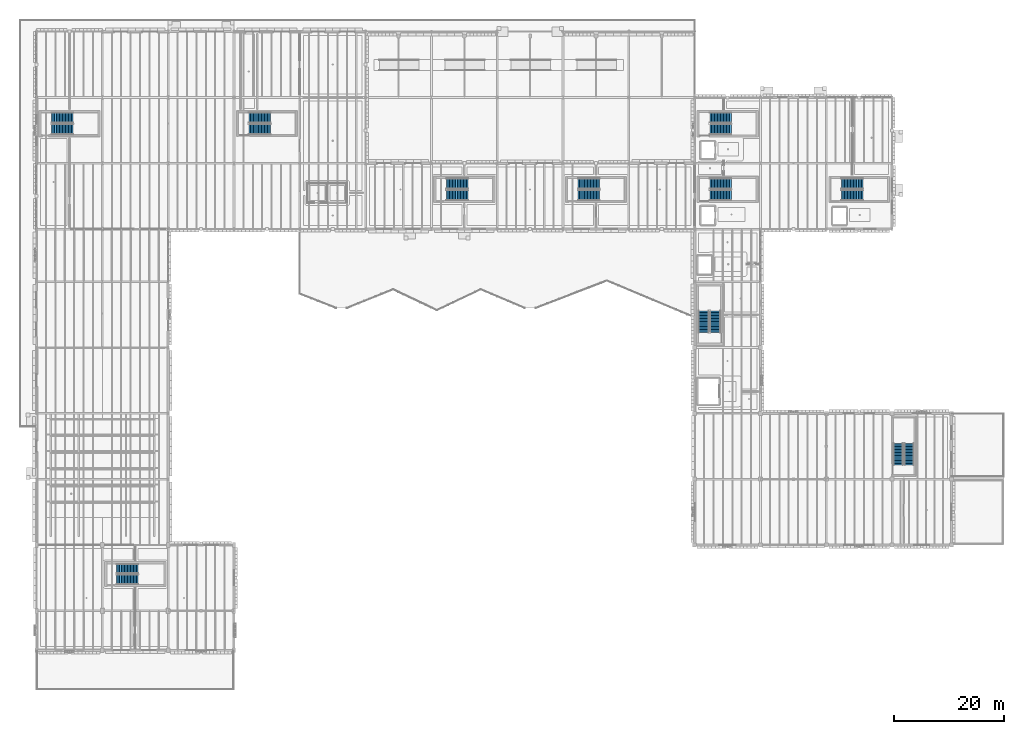
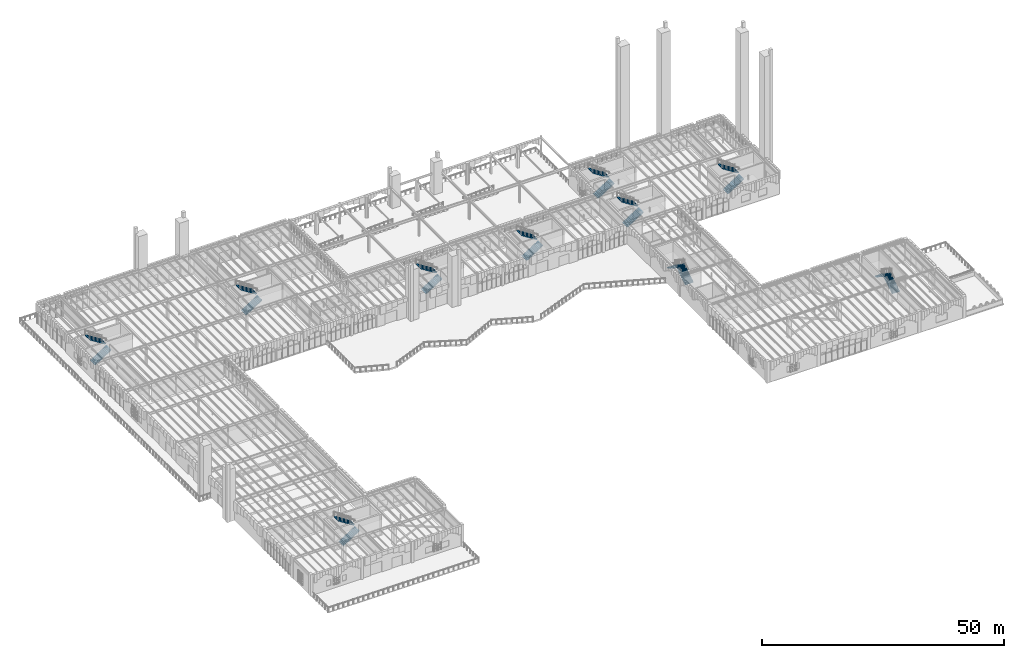
# One storey, part 58 of 103: 20 stair flights, 10 elements without a shape of their own.
"""IFC4 building model written with IfcOpenShell, lengths in metres."""

from ifc_helpers import new_model, si_unit, direction, frame, origin, place, context, subcontext, project, spatial, polyline, outline, extrude, material, type_object, element, aggregate, save


model = new_model("IFC4")

# Units and contexts
model_context = context("Model", 3, precision=1e-05, world=origin(), true_north=direction((0.0, 1.0)))
body_context = subcontext(model_context, "Body", "Model", "MODEL_VIEW")
ifc_project = project(units=[si_unit("LENGTHUNIT", "METRE"), si_unit("AREAUNIT", "SQUARE_METRE"), si_unit("VOLUMEUNIT", "CUBIC_METRE"), si_unit("PLANEANGLEUNIT", "RADIAN"), si_unit("MASSUNIT", "GRAM", prefix="KILO")], contexts=[model_context])

# Site, building, storey
site_placement = place(None, origin())
site = spatial("IfcSite", under=ifc_project, at=site_placement, CompositionType="ELEMENT")
building_placement = place(site_placement, origin())
building = spatial("IfcBuilding", under=site, at=building_placement, Name="Zlatogorsky Bluff Art Gallery", CompositionType="ELEMENT")
storey_placement = place(building_placement, origin())
storey = spatial("IfcBuildingStorey", under=building, at=storey_placement, Name="L00", CompositionType="ELEMENT", Elevation=0.0)

# Stair, stair flights
ifc_material = material(Name="Concrete C30/37", Category="concrete")
stair_type_1 = type_object("IfcStairType", Name="Protected Dogleg Stair ST-T1", PredefinedType="HALF_TURN_STAIR", material=ifc_material)
stair_1_placement = place(storey_placement, origin())
stair_1 = element("IfcStair", 1, at=stair_1_placement, inside=storey, type_object=stair_type_1, Name="L00 Protected Exit Stair ST-09", PredefinedType="HALF_TURN_STAIR")
stair_flight_type_1 = type_object("IfcStairFlightType", Name="Stair Flight ST-T1", PredefinedType="STRAIGHT", material=ifc_material)
stair_flight_1_placement = place(storey_placement, frame((14.60009765625, 20.10009765625, 0.0), z_axis=(0.0, 0.0, 1.0), x_axis=(1.0, 0.0, 0.0)))
stair_flight_1 = element("IfcStairFlight", 2, at=stair_flight_1_placement, type_object=stair_flight_type_1, Name="ST-09 flight 1", NumberOfRisers=15, NumberOfTreads=14, PredefinedType="STRAIGHT", RiserHeight=0.18, TreadLength=0.28, context=body_context, shape_type="SweptSolid", body=[
    extrude(outline(polyline([(0.0, 0.0), (0.0, 0.179931640625), (0.280029296875, 0.179931640625), (0.280029296875, 0.360107421875), (0.56005859375, 0.360107421875), (0.56005859375, 0.5400390625), (0.840087890625, 0.5400390625), (0.840087890625, 0.719970703125), (1.1201171875, 0.719970703125), (1.1201171875, 0.89990234375), (1.39990234375, 0.89990234375), (1.39990234375, 1.080078125), (1.679931640625, 1.080078125), (1.679931640625, 1.260009765625), (1.9599609375, 1.260009765625), (1.9599609375, 1.43994140625), (2.239990234375, 1.43994140625), (2.239990234375, 1.6201171875), (2.52001953125, 1.6201171875), (2.52001953125, 1.800048828125), (2.800048828125, 1.800048828125), (2.800048828125, 1.97998046875), (3.080078125, 1.97998046875), (3.080078125, 2.159912109375), (3.360107421875, 2.159912109375), (3.360107421875, 2.340087890625), (3.639892578125, 2.340087890625), (3.639892578125, 2.52001953125), (3.919921875, 2.52001953125), (3.919921875, 2.699951171875), (3.919921875, 2.30615234375), (0.332763671875, 0.0), (0.0, 0.0)])), frame((0.0, 0.89990234375, 0.0), z_axis=(0.0, -1.0, 0.0), x_axis=(1.0, 0.0, 0.0)), (0.0, 0.0, 1.0), 1.800048828125),
])
stair_flight_2_placement = place(storey_placement, frame((18.52001953125, 22.050048828125, 2.699951171875), z_axis=(0.0, 0.0, 1.0), x_axis=(-1.0, 0.0, 0.0)))
stair_flight_2 = element("IfcStairFlight", 3, at=stair_flight_2_placement, type_object=stair_flight_type_1, Name="ST-09 flight 2", NumberOfRisers=15, NumberOfTreads=14, PredefinedType="STRAIGHT", RiserHeight=0.18, TreadLength=0.28, context=body_context, shape_type="SweptSolid", body=[
    extrude(outline(polyline([(0.0, 0.0), (0.0, 0.179931640625), (0.280029296875, 0.179931640625), (0.280029296875, 0.360107421875), (0.56005859375, 0.360107421875), (0.56005859375, 0.5400390625), (0.840087890625, 0.5400390625), (0.840087890625, 0.719970703125), (1.1201171875, 0.719970703125), (1.1201171875, 0.89990234375), (1.39990234375, 0.89990234375), (1.39990234375, 1.080078125), (1.679931640625, 1.080078125), (1.679931640625, 1.260009765625), (1.9599609375, 1.260009765625), (1.9599609375, 1.43994140625), (2.239990234375, 1.43994140625), (2.239990234375, 1.6201171875), (2.52001953125, 1.6201171875), (2.52001953125, 1.800048828125), (2.800048828125, 1.800048828125), (2.800048828125, 1.97998046875), (3.080078125, 1.97998046875), (3.080078125, 2.159912109375), (3.360107421875, 2.159912109375), (3.360107421875, 2.340087890625), (3.639892578125, 2.340087890625), (3.639892578125, 2.52001953125), (3.919921875, 2.52001953125), (3.919921875, 2.699951171875), (3.919921875, 2.30615234375), (0.332763671875, 0.0), (0.0, 0.0)])), frame((0.0, 0.89990234375, 0.0), z_axis=(0.0, -1.0, 0.0), x_axis=(1.0, 0.0, 0.0)), (0.0, 0.0, 1.0), 1.800048828125),
])
aggregate(stair_1, [stair_flight_1, stair_flight_2])

stair_2_placement = place(storey_placement, origin())
stair_2 = element("IfcStair", 4, at=stair_2_placement, inside=storey, type_object=stair_type_1, Name="L00 Protected Exit Stair ST-10", PredefinedType="HALF_TURN_STAIR")
stair_flight_3_placement = place(storey_placement, frame((159.10009765625, 41.0, 0.0), z_axis=(0.0, 0.0, 1.0), x_axis=(0.0, 1.0, 0.0)))
stair_flight_3 = element("IfcStairFlight", 5, at=stair_flight_3_placement, type_object=stair_flight_type_1, Name="ST-10 flight 1", NumberOfRisers=15, NumberOfTreads=14, PredefinedType="STRAIGHT", RiserHeight=0.18, TreadLength=0.28, context=body_context, shape_type="SweptSolid", body=[
    extrude(outline(polyline([(0.0, 0.0), (0.0, 0.179931640625), (0.280029296875, 0.179931640625), (0.280029296875, 0.360107421875), (0.56005859375, 0.360107421875), (0.56005859375, 0.5400390625), (0.840087890625, 0.5400390625), (0.840087890625, 0.719970703125), (1.1201171875, 0.719970703125), (1.1201171875, 0.89990234375), (1.39990234375, 0.89990234375), (1.39990234375, 1.080078125), (1.679931640625, 1.080078125), (1.679931640625, 1.260009765625), (1.9599609375, 1.260009765625), (1.9599609375, 1.43994140625), (2.239990234375, 1.43994140625), (2.239990234375, 1.6201171875), (2.52001953125, 1.6201171875), (2.52001953125, 1.800048828125), (2.800048828125, 1.800048828125), (2.800048828125, 1.97998046875), (3.080078125, 1.97998046875), (3.080078125, 2.159912109375), (3.360107421875, 2.159912109375), (3.360107421875, 2.340087890625), (3.639892578125, 2.340087890625), (3.639892578125, 2.52001953125), (3.919921875, 2.52001953125), (3.919921875, 2.699951171875), (3.919921875, 2.30615234375), (0.332763671875, 0.0), (0.0, 0.0)])), frame((0.0, 0.89990234375, 0.0), z_axis=(0.0, -1.0, 0.0), x_axis=(1.0, 0.0, 0.0)), (0.0, 0.0, 1.0), 1.800048828125),
])
stair_flight_4_placement = place(storey_placement, frame((157.14990234375, 44.919921875, 2.699951171875), z_axis=(0.0, 0.0, 1.0), x_axis=(0.0, -1.0, 0.0)))
stair_flight_4 = element("IfcStairFlight", 6, at=stair_flight_4_placement, type_object=stair_flight_type_1, Name="ST-10 flight 2", NumberOfRisers=15, NumberOfTreads=14, PredefinedType="STRAIGHT", RiserHeight=0.18, TreadLength=0.28, context=body_context, shape_type="SweptSolid", body=[
    extrude(outline(polyline([(0.0, 0.0), (0.0, 0.179931640625), (0.280029296875, 0.179931640625), (0.280029296875, 0.360107421875), (0.56005859375, 0.360107421875), (0.56005859375, 0.5400390625), (0.840087890625, 0.5400390625), (0.840087890625, 0.719970703125), (1.1201171875, 0.719970703125), (1.1201171875, 0.89990234375), (1.39990234375, 0.89990234375), (1.39990234375, 1.080078125), (1.679931640625, 1.080078125), (1.679931640625, 1.260009765625), (1.9599609375, 1.260009765625), (1.9599609375, 1.43994140625), (2.239990234375, 1.43994140625), (2.239990234375, 1.6201171875), (2.52001953125, 1.6201171875), (2.52001953125, 1.800048828125), (2.800048828125, 1.800048828125), (2.800048828125, 1.97998046875), (3.080078125, 1.97998046875), (3.080078125, 2.159912109375), (3.360107421875, 2.159912109375), (3.360107421875, 2.340087890625), (3.639892578125, 2.340087890625), (3.639892578125, 2.52001953125), (3.919921875, 2.52001953125), (3.919921875, 2.699951171875), (3.919921875, 2.30615234375), (0.332763671875, 0.0), (0.0, 0.0)])), frame((0.0, 0.89990234375, 0.0), z_axis=(0.0, -1.0, 0.0), x_axis=(1.0, 0.0, 0.0)), (0.0, 0.0, 1.0), 1.800048828125),
])
aggregate(stair_2, [stair_flight_3, stair_flight_4])

stair_type_2 = type_object("IfcStairType", Name="Protected Dogleg Stair ST-T3", PredefinedType="HALF_TURN_STAIR", material=ifc_material)
stair_3_placement = place(storey_placement, origin())
stair_3 = element("IfcStair", 7, at=stair_3_placement, inside=storey, type_object=stair_type_2, Name="L00 Protected Exit Stair ST-01", PredefinedType="HALF_TURN_STAIR")
stair_flight_type_2 = type_object("IfcStairFlightType", Name="Stair Flight ST-T3", PredefinedType="STRAIGHT", material=ifc_material)
stair_flight_5_placement = place(storey_placement, frame((98.75, 90.175048828125, 0.0), z_axis=(0.0, 0.0, 1.0), x_axis=(1.0, 0.0, 0.0)))
stair_flight_5 = element("IfcStairFlight", 8, at=stair_flight_5_placement, type_object=stair_flight_type_2, Name="ST-01 flight 1", NumberOfRisers=15, NumberOfTreads=14, PredefinedType="STRAIGHT", RiserHeight=0.18, TreadLength=0.28, context=body_context, shape_type="SweptSolid", body=[
    extrude(outline(polyline([(0.0, 0.0), (0.0, 0.179931640625), (0.280029296875, 0.179931640625), (0.280029296875, 0.360107421875), (0.56005859375, 0.360107421875), (0.56005859375, 0.5400390625), (0.840087890625, 0.5400390625), (0.840087890625, 0.719970703125), (1.1201171875, 0.719970703125), (1.1201171875, 0.89990234375), (1.39990234375, 0.89990234375), (1.39990234375, 1.080078125), (1.679931640625, 1.080078125), (1.679931640625, 1.260009765625), (1.9599609375, 1.260009765625), (1.9599609375, 1.43994140625), (2.239990234375, 1.43994140625), (2.239990234375, 1.6201171875), (2.52001953125, 1.6201171875), (2.52001953125, 1.800048828125), (2.800048828125, 1.800048828125), (2.800048828125, 1.97998046875), (3.080078125, 1.97998046875), (3.080078125, 2.159912109375), (3.360107421875, 2.159912109375), (3.360107421875, 2.340087890625), (3.639892578125, 2.340087890625), (3.639892578125, 2.52001953125), (3.919921875, 2.52001953125), (3.919921875, 2.699951171875), (3.919921875, 2.30615234375), (0.332763671875, 0.0), (0.0, 0.0)])), frame((0.0, 0.97509765625, 0.0), z_axis=(0.0, -1.0, 0.0), x_axis=(1.0, 0.0, 0.0)), (0.0, 0.0, 1.0), 1.949951171875),
])
stair_flight_6_placement = place(storey_placement, frame((102.669921875, 92.27490234375, 2.699951171875), z_axis=(0.0, 0.0, 1.0), x_axis=(-1.0, 0.0, 0.0)))
stair_flight_6 = element("IfcStairFlight", 9, at=stair_flight_6_placement, type_object=stair_flight_type_2, Name="ST-01 flight 2", NumberOfRisers=15, NumberOfTreads=14, PredefinedType="STRAIGHT", RiserHeight=0.18, TreadLength=0.28, context=body_context, shape_type="SweptSolid", body=[
    extrude(outline(polyline([(0.0, 0.0), (0.0, 0.179931640625), (0.280029296875, 0.179931640625), (0.280029296875, 0.360107421875), (0.56005859375, 0.360107421875), (0.56005859375, 0.5400390625), (0.840087890625, 0.5400390625), (0.840087890625, 0.719970703125), (1.1201171875, 0.719970703125), (1.1201171875, 0.89990234375), (1.39990234375, 0.89990234375), (1.39990234375, 1.080078125), (1.679931640625, 1.080078125), (1.679931640625, 1.260009765625), (1.9599609375, 1.260009765625), (1.9599609375, 1.43994140625), (2.239990234375, 1.43994140625), (2.239990234375, 1.6201171875), (2.52001953125, 1.6201171875), (2.52001953125, 1.800048828125), (2.800048828125, 1.800048828125), (2.800048828125, 1.97998046875), (3.080078125, 1.97998046875), (3.080078125, 2.159912109375), (3.360107421875, 2.159912109375), (3.360107421875, 2.340087890625), (3.639892578125, 2.340087890625), (3.639892578125, 2.52001953125), (3.919921875, 2.52001953125), (3.919921875, 2.699951171875), (3.919921875, 2.30615234375), (0.332763671875, 0.0), (0.0, 0.0)])), frame((0.0, 0.97509765625, 0.0), z_axis=(0.0, -1.0, 0.0), x_axis=(1.0, 0.0, 0.0)), (0.0, 0.0, 1.0), 1.949951171875),
])
aggregate(stair_3, [stair_flight_5, stair_flight_6])

stair_4_placement = place(storey_placement, origin())
stair_4 = element("IfcStair", 10, at=stair_4_placement, inside=storey, type_object=stair_type_2, Name="L00 Protected Exit Stair ST-02", PredefinedType="HALF_TURN_STAIR")
stair_flight_7_placement = place(storey_placement, frame((122.75, 90.175048828125, 0.0), z_axis=(0.0, 0.0, 1.0), x_axis=(1.0, 0.0, 0.0)))
stair_flight_7 = element("IfcStairFlight", 11, at=stair_flight_7_placement, type_object=stair_flight_type_2, Name="ST-02 flight 1", NumberOfRisers=15, NumberOfTreads=14, PredefinedType="STRAIGHT", RiserHeight=0.18, TreadLength=0.28, context=body_context, shape_type="SweptSolid", body=[
    extrude(outline(polyline([(0.0, 0.0), (0.0, 0.179931640625), (0.280029296875, 0.179931640625), (0.280029296875, 0.360107421875), (0.56005859375, 0.360107421875), (0.56005859375, 0.5400390625), (0.840087890625, 0.5400390625), (0.840087890625, 0.719970703125), (1.1201171875, 0.719970703125), (1.1201171875, 0.89990234375), (1.39990234375, 0.89990234375), (1.39990234375, 1.080078125), (1.679931640625, 1.080078125), (1.679931640625, 1.260009765625), (1.9599609375, 1.260009765625), (1.9599609375, 1.43994140625), (2.239990234375, 1.43994140625), (2.239990234375, 1.6201171875), (2.52001953125, 1.6201171875), (2.52001953125, 1.800048828125), (2.800048828125, 1.800048828125), (2.800048828125, 1.97998046875), (3.080078125, 1.97998046875), (3.080078125, 2.159912109375), (3.360107421875, 2.159912109375), (3.360107421875, 2.340087890625), (3.639892578125, 2.340087890625), (3.639892578125, 2.52001953125), (3.919921875, 2.52001953125), (3.919921875, 2.699951171875), (3.919921875, 2.30615234375), (0.332763671875, 0.0), (0.0, 0.0)])), frame((0.0, 0.97509765625, 0.0), z_axis=(0.0, -1.0, 0.0), x_axis=(1.0, 0.0, 0.0)), (0.0, 0.0, 1.0), 1.949951171875),
])
stair_flight_8_placement = place(storey_placement, frame((126.669921875, 92.27490234375, 2.699951171875), z_axis=(0.0, 0.0, 1.0), x_axis=(-1.0, 0.0, 0.0)))
stair_flight_8 = element("IfcStairFlight", 12, at=stair_flight_8_placement, type_object=stair_flight_type_2, Name="ST-02 flight 2", NumberOfRisers=15, NumberOfTreads=14, PredefinedType="STRAIGHT", RiserHeight=0.18, TreadLength=0.28, context=body_context, shape_type="SweptSolid", body=[
    extrude(outline(polyline([(0.0, 0.0), (0.0, 0.179931640625), (0.280029296875, 0.179931640625), (0.280029296875, 0.360107421875), (0.56005859375, 0.360107421875), (0.56005859375, 0.5400390625), (0.840087890625, 0.5400390625), (0.840087890625, 0.719970703125), (1.1201171875, 0.719970703125), (1.1201171875, 0.89990234375), (1.39990234375, 0.89990234375), (1.39990234375, 1.080078125), (1.679931640625, 1.080078125), (1.679931640625, 1.260009765625), (1.9599609375, 1.260009765625), (1.9599609375, 1.43994140625), (2.239990234375, 1.43994140625), (2.239990234375, 1.6201171875), (2.52001953125, 1.6201171875), (2.52001953125, 1.800048828125), (2.800048828125, 1.800048828125), (2.800048828125, 1.97998046875), (3.080078125, 1.97998046875), (3.080078125, 2.159912109375), (3.360107421875, 2.159912109375), (3.360107421875, 2.340087890625), (3.639892578125, 2.340087890625), (3.639892578125, 2.52001953125), (3.919921875, 2.52001953125), (3.919921875, 2.699951171875), (3.919921875, 2.30615234375), (0.332763671875, 0.0), (0.0, 0.0)])), frame((0.0, 0.97509765625, 0.0), z_axis=(0.0, -1.0, 0.0), x_axis=(1.0, 0.0, 0.0)), (0.0, 0.0, 1.0), 1.949951171875),
])
aggregate(stair_4, [stair_flight_7, stair_flight_8])

stair_5_placement = place(storey_placement, origin())
stair_5 = element("IfcStair", 13, at=stair_5_placement, inside=storey, type_object=stair_type_2, Name="L00 Protected Exit Stair ST-03", PredefinedType="HALF_TURN_STAIR")
stair_flight_9_placement = place(storey_placement, frame((122.75, 102.175048828125, 0.0), z_axis=(0.0, 0.0, 1.0), x_axis=(1.0, 0.0, 0.0)))
stair_flight_9 = element("IfcStairFlight", 14, at=stair_flight_9_placement, type_object=stair_flight_type_2, Name="ST-03 flight 1", NumberOfRisers=15, NumberOfTreads=14, PredefinedType="STRAIGHT", RiserHeight=0.18, TreadLength=0.28, context=body_context, shape_type="SweptSolid", body=[
    extrude(outline(polyline([(0.0, 0.0), (0.0, 0.179931640625), (0.280029296875, 0.179931640625), (0.280029296875, 0.360107421875), (0.56005859375, 0.360107421875), (0.56005859375, 0.5400390625), (0.840087890625, 0.5400390625), (0.840087890625, 0.719970703125), (1.1201171875, 0.719970703125), (1.1201171875, 0.89990234375), (1.39990234375, 0.89990234375), (1.39990234375, 1.080078125), (1.679931640625, 1.080078125), (1.679931640625, 1.260009765625), (1.9599609375, 1.260009765625), (1.9599609375, 1.43994140625), (2.239990234375, 1.43994140625), (2.239990234375, 1.6201171875), (2.52001953125, 1.6201171875), (2.52001953125, 1.800048828125), (2.800048828125, 1.800048828125), (2.800048828125, 1.97998046875), (3.080078125, 1.97998046875), (3.080078125, 2.159912109375), (3.360107421875, 2.159912109375), (3.360107421875, 2.340087890625), (3.639892578125, 2.340087890625), (3.639892578125, 2.52001953125), (3.919921875, 2.52001953125), (3.919921875, 2.699951171875), (3.919921875, 2.30615234375), (0.332763671875, 0.0), (0.0, 0.0)])), frame((0.0, 0.97509765625, 0.0), z_axis=(0.0, -1.0, 0.0), x_axis=(1.0, 0.0, 0.0)), (0.0, 0.0, 1.0), 1.949951171875),
])
stair_flight_10_placement = place(storey_placement, frame((126.669921875, 104.27490234375, 2.699951171875), z_axis=(0.0, 0.0, 1.0), x_axis=(-1.0, 0.0, 0.0)))
stair_flight_10 = element("IfcStairFlight", 15, at=stair_flight_10_placement, type_object=stair_flight_type_2, Name="ST-03 flight 2", NumberOfRisers=15, NumberOfTreads=14, PredefinedType="STRAIGHT", RiserHeight=0.18, TreadLength=0.28, context=body_context, shape_type="SweptSolid", body=[
    extrude(outline(polyline([(0.0, 0.0), (0.0, 0.179931640625), (0.280029296875, 0.179931640625), (0.280029296875, 0.360107421875), (0.56005859375, 0.360107421875), (0.56005859375, 0.5400390625), (0.840087890625, 0.5400390625), (0.840087890625, 0.719970703125), (1.1201171875, 0.719970703125), (1.1201171875, 0.89990234375), (1.39990234375, 0.89990234375), (1.39990234375, 1.080078125), (1.679931640625, 1.080078125), (1.679931640625, 1.260009765625), (1.9599609375, 1.260009765625), (1.9599609375, 1.43994140625), (2.239990234375, 1.43994140625), (2.239990234375, 1.6201171875), (2.52001953125, 1.6201171875), (2.52001953125, 1.800048828125), (2.800048828125, 1.800048828125), (2.800048828125, 1.97998046875), (3.080078125, 1.97998046875), (3.080078125, 2.159912109375), (3.360107421875, 2.159912109375), (3.360107421875, 2.340087890625), (3.639892578125, 2.340087890625), (3.639892578125, 2.52001953125), (3.919921875, 2.52001953125), (3.919921875, 2.699951171875), (3.919921875, 2.30615234375), (0.332763671875, 0.0), (0.0, 0.0)])), frame((0.0, 0.97509765625, 0.0), z_axis=(0.0, -1.0, 0.0), x_axis=(1.0, 0.0, 0.0)), (0.0, 0.0, 1.0), 1.949951171875),
])
aggregate(stair_5, [stair_flight_9, stair_flight_10])

stair_6_placement = place(storey_placement, origin())
stair_6 = element("IfcStair", 16, at=stair_6_placement, inside=storey, type_object=stair_type_2, Name="L00 Protected Exit Stair ST-04", PredefinedType="HALF_TURN_STAIR")
stair_flight_11_placement = place(storey_placement, frame((146.75, 90.175048828125, 0.0), z_axis=(0.0, 0.0, 1.0), x_axis=(1.0, 0.0, 0.0)))
stair_flight_11 = element("IfcStairFlight", 17, at=stair_flight_11_placement, type_object=stair_flight_type_2, Name="ST-04 flight 1", NumberOfRisers=15, NumberOfTreads=14, PredefinedType="STRAIGHT", RiserHeight=0.18, TreadLength=0.28, context=body_context, shape_type="SweptSolid", body=[
    extrude(outline(polyline([(0.0, 0.0), (0.0, 0.179931640625), (0.280029296875, 0.179931640625), (0.280029296875, 0.360107421875), (0.56005859375, 0.360107421875), (0.56005859375, 0.5400390625), (0.840087890625, 0.5400390625), (0.840087890625, 0.719970703125), (1.1201171875, 0.719970703125), (1.1201171875, 0.89990234375), (1.39990234375, 0.89990234375), (1.39990234375, 1.080078125), (1.679931640625, 1.080078125), (1.679931640625, 1.260009765625), (1.9599609375, 1.260009765625), (1.9599609375, 1.43994140625), (2.239990234375, 1.43994140625), (2.239990234375, 1.6201171875), (2.52001953125, 1.6201171875), (2.52001953125, 1.800048828125), (2.800048828125, 1.800048828125), (2.800048828125, 1.97998046875), (3.080078125, 1.97998046875), (3.080078125, 2.159912109375), (3.360107421875, 2.159912109375), (3.360107421875, 2.340087890625), (3.639892578125, 2.340087890625), (3.639892578125, 2.52001953125), (3.919921875, 2.52001953125), (3.919921875, 2.699951171875), (3.919921875, 2.30615234375), (0.332763671875, 0.0), (0.0, 0.0)])), frame((0.0, 0.97509765625, 0.0), z_axis=(0.0, -1.0, 0.0), x_axis=(1.0, 0.0, 0.0)), (0.0, 0.0, 1.0), 1.949951171875),
])
stair_flight_12_placement = place(storey_placement, frame((150.669921875, 92.27490234375, 2.699951171875), z_axis=(0.0, 0.0, 1.0), x_axis=(-1.0, 0.0, 0.0)))
stair_flight_12 = element("IfcStairFlight", 18, at=stair_flight_12_placement, type_object=stair_flight_type_2, Name="ST-04 flight 2", NumberOfRisers=15, NumberOfTreads=14, PredefinedType="STRAIGHT", RiserHeight=0.18, TreadLength=0.28, context=body_context, shape_type="SweptSolid", body=[
    extrude(outline(polyline([(0.0, 0.0), (0.0, 0.179931640625), (0.280029296875, 0.179931640625), (0.280029296875, 0.360107421875), (0.56005859375, 0.360107421875), (0.56005859375, 0.5400390625), (0.840087890625, 0.5400390625), (0.840087890625, 0.719970703125), (1.1201171875, 0.719970703125), (1.1201171875, 0.89990234375), (1.39990234375, 0.89990234375), (1.39990234375, 1.080078125), (1.679931640625, 1.080078125), (1.679931640625, 1.260009765625), (1.9599609375, 1.260009765625), (1.9599609375, 1.43994140625), (2.239990234375, 1.43994140625), (2.239990234375, 1.6201171875), (2.52001953125, 1.6201171875), (2.52001953125, 1.800048828125), (2.800048828125, 1.800048828125), (2.800048828125, 1.97998046875), (3.080078125, 1.97998046875), (3.080078125, 2.159912109375), (3.360107421875, 2.159912109375), (3.360107421875, 2.340087890625), (3.639892578125, 2.340087890625), (3.639892578125, 2.52001953125), (3.919921875, 2.52001953125), (3.919921875, 2.699951171875), (3.919921875, 2.30615234375), (0.332763671875, 0.0), (0.0, 0.0)])), frame((0.0, 0.97509765625, 0.0), z_axis=(0.0, -1.0, 0.0), x_axis=(1.0, 0.0, 0.0)), (0.0, 0.0, 1.0), 1.949951171875),
])
aggregate(stair_6, [stair_flight_11, stair_flight_12])

stair_7_placement = place(storey_placement, origin())
stair_7 = element("IfcStair", 19, at=stair_7_placement, inside=storey, type_object=stair_type_2, Name="L00 Protected Exit Stair ST-05", PredefinedType="HALF_TURN_STAIR")
stair_flight_13_placement = place(storey_placement, frame((2.75, 102.175048828125, 0.0), z_axis=(0.0, 0.0, 1.0), x_axis=(1.0, 0.0, 0.0)))
stair_flight_13 = element("IfcStairFlight", 20, at=stair_flight_13_placement, type_object=stair_flight_type_2, Name="ST-05 flight 1", NumberOfRisers=15, NumberOfTreads=14, PredefinedType="STRAIGHT", RiserHeight=0.18, TreadLength=0.28, context=body_context, shape_type="SweptSolid", body=[
    extrude(outline(polyline([(0.0, 0.0), (0.0, 0.179931640625), (0.280029296875, 0.179931640625), (0.280029296875, 0.360107421875), (0.56005859375, 0.360107421875), (0.56005859375, 0.5400390625), (0.840087890625, 0.5400390625), (0.840087890625, 0.719970703125), (1.1201171875, 0.719970703125), (1.1201171875, 0.89990234375), (1.39990234375, 0.89990234375), (1.39990234375, 1.080078125), (1.679931640625, 1.080078125), (1.679931640625, 1.260009765625), (1.9599609375, 1.260009765625), (1.9599609375, 1.43994140625), (2.239990234375, 1.43994140625), (2.239990234375, 1.6201171875), (2.52001953125, 1.6201171875), (2.52001953125, 1.800048828125), (2.800048828125, 1.800048828125), (2.800048828125, 1.97998046875), (3.080078125, 1.97998046875), (3.080078125, 2.159912109375), (3.360107421875, 2.159912109375), (3.360107421875, 2.340087890625), (3.639892578125, 2.340087890625), (3.639892578125, 2.52001953125), (3.919921875, 2.52001953125), (3.919921875, 2.699951171875), (3.919921875, 2.30615234375), (0.332763671875, 0.0), (0.0, 0.0)])), frame((0.0, 0.97509765625, 0.0), z_axis=(0.0, -1.0, 0.0), x_axis=(1.0, 0.0, 0.0)), (0.0, 0.0, 1.0), 1.949951171875),
])
stair_flight_14_placement = place(storey_placement, frame((6.669921875, 104.27490234375, 2.699951171875), z_axis=(0.0, 0.0, 1.0), x_axis=(-1.0, 0.0, 0.0)))
stair_flight_14 = element("IfcStairFlight", 21, at=stair_flight_14_placement, type_object=stair_flight_type_2, Name="ST-05 flight 2", NumberOfRisers=15, NumberOfTreads=14, PredefinedType="STRAIGHT", RiserHeight=0.18, TreadLength=0.28, context=body_context, shape_type="SweptSolid", body=[
    extrude(outline(polyline([(0.0, 0.0), (0.0, 0.179931640625), (0.280029296875, 0.179931640625), (0.280029296875, 0.360107421875), (0.56005859375, 0.360107421875), (0.56005859375, 0.5400390625), (0.840087890625, 0.5400390625), (0.840087890625, 0.719970703125), (1.1201171875, 0.719970703125), (1.1201171875, 0.89990234375), (1.39990234375, 0.89990234375), (1.39990234375, 1.080078125), (1.679931640625, 1.080078125), (1.679931640625, 1.260009765625), (1.9599609375, 1.260009765625), (1.9599609375, 1.43994140625), (2.239990234375, 1.43994140625), (2.239990234375, 1.6201171875), (2.52001953125, 1.6201171875), (2.52001953125, 1.800048828125), (2.800048828125, 1.800048828125), (2.800048828125, 1.97998046875), (3.080078125, 1.97998046875), (3.080078125, 2.159912109375), (3.360107421875, 2.159912109375), (3.360107421875, 2.340087890625), (3.639892578125, 2.340087890625), (3.639892578125, 2.52001953125), (3.919921875, 2.52001953125), (3.919921875, 2.699951171875), (3.919921875, 2.30615234375), (0.332763671875, 0.0), (0.0, 0.0)])), frame((0.0, 0.97509765625, 0.0), z_axis=(0.0, -1.0, 0.0), x_axis=(1.0, 0.0, 0.0)), (0.0, 0.0, 1.0), 1.949951171875),
])
aggregate(stair_7, [stair_flight_13, stair_flight_14])

stair_8_placement = place(storey_placement, origin())
stair_8 = element("IfcStair", 22, at=stair_8_placement, inside=storey, type_object=stair_type_2, Name="L00 Protected Exit Stair ST-06", PredefinedType="HALF_TURN_STAIR")
stair_flight_15_placement = place(storey_placement, frame((123.77490234375, 65.14990234375, 0.0), z_axis=(0.0, 0.0, 1.0), x_axis=(0.0, 1.0, 0.0)))
stair_flight_15 = element("IfcStairFlight", 23, at=stair_flight_15_placement, type_object=stair_flight_type_2, Name="ST-06 flight 1", NumberOfRisers=15, NumberOfTreads=14, PredefinedType="STRAIGHT", RiserHeight=0.18, TreadLength=0.28, context=body_context, shape_type="SweptSolid", body=[
    extrude(outline(polyline([(0.0, 0.0), (0.0, 0.179931640625), (0.280029296875, 0.179931640625), (0.280029296875, 0.360107421875), (0.56005859375, 0.360107421875), (0.56005859375, 0.5400390625), (0.840087890625, 0.5400390625), (0.840087890625, 0.719970703125), (1.1201171875, 0.719970703125), (1.1201171875, 0.89990234375), (1.39990234375, 0.89990234375), (1.39990234375, 1.080078125), (1.679931640625, 1.080078125), (1.679931640625, 1.260009765625), (1.9599609375, 1.260009765625), (1.9599609375, 1.43994140625), (2.239990234375, 1.43994140625), (2.239990234375, 1.6201171875), (2.52001953125, 1.6201171875), (2.52001953125, 1.800048828125), (2.800048828125, 1.800048828125), (2.800048828125, 1.97998046875), (3.080078125, 1.97998046875), (3.080078125, 2.159912109375), (3.360107421875, 2.159912109375), (3.360107421875, 2.340087890625), (3.639892578125, 2.340087890625), (3.639892578125, 2.52001953125), (3.919921875, 2.52001953125), (3.919921875, 2.699951171875), (3.919921875, 2.30615234375), (0.332763671875, 0.0), (0.0, 0.0)])), frame((0.0, 0.97509765625, 0.0), z_axis=(0.0, -1.0, 0.0), x_axis=(1.0, 0.0, 0.0)), (0.0, 0.0, 1.0), 1.949951171875),
])
stair_flight_16_placement = place(storey_placement, frame((121.675048828125, 69.070068359375, 2.699951171875), z_axis=(0.0, 0.0, 1.0), x_axis=(0.0, -1.0, 0.0)))
stair_flight_16 = element("IfcStairFlight", 24, at=stair_flight_16_placement, type_object=stair_flight_type_2, Name="ST-06 flight 2", NumberOfRisers=15, NumberOfTreads=14, PredefinedType="STRAIGHT", RiserHeight=0.18, TreadLength=0.28, context=body_context, shape_type="SweptSolid", body=[
    extrude(outline(polyline([(0.0, 0.0), (0.0, 0.179931640625), (0.280029296875, 0.179931640625), (0.280029296875, 0.360107421875), (0.56005859375, 0.360107421875), (0.56005859375, 0.5400390625), (0.840087890625, 0.5400390625), (0.840087890625, 0.719970703125), (1.1201171875, 0.719970703125), (1.1201171875, 0.89990234375), (1.39990234375, 0.89990234375), (1.39990234375, 1.080078125), (1.679931640625, 1.080078125), (1.679931640625, 1.260009765625), (1.9599609375, 1.260009765625), (1.9599609375, 1.43994140625), (2.239990234375, 1.43994140625), (2.239990234375, 1.6201171875), (2.52001953125, 1.6201171875), (2.52001953125, 1.800048828125), (2.800048828125, 1.800048828125), (2.800048828125, 1.97998046875), (3.080078125, 1.97998046875), (3.080078125, 2.159912109375), (3.360107421875, 2.159912109375), (3.360107421875, 2.340087890625), (3.639892578125, 2.340087890625), (3.639892578125, 2.52001953125), (3.919921875, 2.52001953125), (3.919921875, 2.699951171875), (3.919921875, 2.30615234375), (0.332763671875, 0.0), (0.0, 0.0)])), frame((0.0, 0.97509765625, 0.0), z_axis=(0.0, -1.0, 0.0), x_axis=(1.0, 0.0, 0.0)), (0.0, 0.0, 1.0), 1.949951171875),
])
aggregate(stair_8, [stair_flight_15, stair_flight_16])

stair_9_placement = place(storey_placement, origin())
stair_9 = element("IfcStair", 25, at=stair_9_placement, inside=storey, type_object=stair_type_2, Name="L00 Protected Exit Stair ST-07", PredefinedType="HALF_TURN_STAIR")
stair_flight_17_placement = place(storey_placement, frame((38.75, 102.175048828125, 0.0), z_axis=(0.0, 0.0, 1.0), x_axis=(1.0, 0.0, 0.0)))
stair_flight_17 = element("IfcStairFlight", 26, at=stair_flight_17_placement, type_object=stair_flight_type_2, Name="ST-07 flight 1", NumberOfRisers=15, NumberOfTreads=14, PredefinedType="STRAIGHT", RiserHeight=0.18, TreadLength=0.28, context=body_context, shape_type="SweptSolid", body=[
    extrude(outline(polyline([(0.0, 0.0), (0.0, 0.179931640625), (0.280029296875, 0.179931640625), (0.280029296875, 0.360107421875), (0.56005859375, 0.360107421875), (0.56005859375, 0.5400390625), (0.840087890625, 0.5400390625), (0.840087890625, 0.719970703125), (1.1201171875, 0.719970703125), (1.1201171875, 0.89990234375), (1.39990234375, 0.89990234375), (1.39990234375, 1.080078125), (1.679931640625, 1.080078125), (1.679931640625, 1.260009765625), (1.9599609375, 1.260009765625), (1.9599609375, 1.43994140625), (2.239990234375, 1.43994140625), (2.239990234375, 1.6201171875), (2.52001953125, 1.6201171875), (2.52001953125, 1.800048828125), (2.800048828125, 1.800048828125), (2.800048828125, 1.97998046875), (3.080078125, 1.97998046875), (3.080078125, 2.159912109375), (3.360107421875, 2.159912109375), (3.360107421875, 2.340087890625), (3.639892578125, 2.340087890625), (3.639892578125, 2.52001953125), (3.919921875, 2.52001953125), (3.919921875, 2.699951171875), (3.919921875, 2.30615234375), (0.332763671875, 0.0), (0.0, 0.0)])), frame((0.0, 0.97509765625, 0.0), z_axis=(0.0, -1.0, 0.0), x_axis=(1.0, 0.0, 0.0)), (0.0, 0.0, 1.0), 1.949951171875),
])
stair_flight_18_placement = place(storey_placement, frame((42.669921875, 104.27490234375, 2.699951171875), z_axis=(0.0, 0.0, 1.0), x_axis=(-1.0, 0.0, 0.0)))
stair_flight_18 = element("IfcStairFlight", 27, at=stair_flight_18_placement, type_object=stair_flight_type_2, Name="ST-07 flight 2", NumberOfRisers=15, NumberOfTreads=14, PredefinedType="STRAIGHT", RiserHeight=0.18, TreadLength=0.28, context=body_context, shape_type="SweptSolid", body=[
    extrude(outline(polyline([(0.0, 0.0), (0.0, 0.179931640625), (0.280029296875, 0.179931640625), (0.280029296875, 0.360107421875), (0.56005859375, 0.360107421875), (0.56005859375, 0.5400390625), (0.840087890625, 0.5400390625), (0.840087890625, 0.719970703125), (1.1201171875, 0.719970703125), (1.1201171875, 0.89990234375), (1.39990234375, 0.89990234375), (1.39990234375, 1.080078125), (1.679931640625, 1.080078125), (1.679931640625, 1.260009765625), (1.9599609375, 1.260009765625), (1.9599609375, 1.43994140625), (2.239990234375, 1.43994140625), (2.239990234375, 1.6201171875), (2.52001953125, 1.6201171875), (2.52001953125, 1.800048828125), (2.800048828125, 1.800048828125), (2.800048828125, 1.97998046875), (3.080078125, 1.97998046875), (3.080078125, 2.159912109375), (3.360107421875, 2.159912109375), (3.360107421875, 2.340087890625), (3.639892578125, 2.340087890625), (3.639892578125, 2.52001953125), (3.919921875, 2.52001953125), (3.919921875, 2.699951171875), (3.919921875, 2.30615234375), (0.332763671875, 0.0), (0.0, 0.0)])), frame((0.0, 0.97509765625, 0.0), z_axis=(0.0, -1.0, 0.0), x_axis=(1.0, 0.0, 0.0)), (0.0, 0.0, 1.0), 1.949951171875),
])
aggregate(stair_9, [stair_flight_17, stair_flight_18])

stair_10_placement = place(storey_placement, origin())
stair_10 = element("IfcStair", 28, at=stair_10_placement, inside=storey, type_object=stair_type_2, Name="L00 Protected Exit Stair ST-08", PredefinedType="HALF_TURN_STAIR")
stair_flight_19_placement = place(storey_placement, frame((74.75, 90.175048828125, 0.0), z_axis=(0.0, 0.0, 1.0), x_axis=(1.0, 0.0, 0.0)))
stair_flight_19 = element("IfcStairFlight", 29, at=stair_flight_19_placement, type_object=stair_flight_type_2, Name="ST-08 flight 1", NumberOfRisers=15, NumberOfTreads=14, PredefinedType="STRAIGHT", RiserHeight=0.18, TreadLength=0.28, context=body_context, shape_type="SweptSolid", body=[
    extrude(outline(polyline([(0.0, 0.0), (0.0, 0.179931640625), (0.280029296875, 0.179931640625), (0.280029296875, 0.360107421875), (0.56005859375, 0.360107421875), (0.56005859375, 0.5400390625), (0.840087890625, 0.5400390625), (0.840087890625, 0.719970703125), (1.1201171875, 0.719970703125), (1.1201171875, 0.89990234375), (1.39990234375, 0.89990234375), (1.39990234375, 1.080078125), (1.679931640625, 1.080078125), (1.679931640625, 1.260009765625), (1.9599609375, 1.260009765625), (1.9599609375, 1.43994140625), (2.239990234375, 1.43994140625), (2.239990234375, 1.6201171875), (2.52001953125, 1.6201171875), (2.52001953125, 1.800048828125), (2.800048828125, 1.800048828125), (2.800048828125, 1.97998046875), (3.080078125, 1.97998046875), (3.080078125, 2.159912109375), (3.360107421875, 2.159912109375), (3.360107421875, 2.340087890625), (3.639892578125, 2.340087890625), (3.639892578125, 2.52001953125), (3.919921875, 2.52001953125), (3.919921875, 2.699951171875), (3.919921875, 2.30615234375), (0.332763671875, 0.0), (0.0, 0.0)])), frame((0.0, 0.97509765625, 0.0), z_axis=(0.0, -1.0, 0.0), x_axis=(1.0, 0.0, 0.0)), (0.0, 0.0, 1.0), 1.949951171875),
])
stair_flight_20_placement = place(storey_placement, frame((78.669921875, 92.27490234375, 2.699951171875), z_axis=(0.0, 0.0, 1.0), x_axis=(-1.0, 0.0, 0.0)))
stair_flight_20 = element("IfcStairFlight", 30, at=stair_flight_20_placement, type_object=stair_flight_type_2, Name="ST-08 flight 2", NumberOfRisers=15, NumberOfTreads=14, PredefinedType="STRAIGHT", RiserHeight=0.18, TreadLength=0.28, context=body_context, shape_type="SweptSolid", body=[
    extrude(outline(polyline([(0.0, 0.0), (0.0, 0.179931640625), (0.280029296875, 0.179931640625), (0.280029296875, 0.360107421875), (0.56005859375, 0.360107421875), (0.56005859375, 0.5400390625), (0.840087890625, 0.5400390625), (0.840087890625, 0.719970703125), (1.1201171875, 0.719970703125), (1.1201171875, 0.89990234375), (1.39990234375, 0.89990234375), (1.39990234375, 1.080078125), (1.679931640625, 1.080078125), (1.679931640625, 1.260009765625), (1.9599609375, 1.260009765625), (1.9599609375, 1.43994140625), (2.239990234375, 1.43994140625), (2.239990234375, 1.6201171875), (2.52001953125, 1.6201171875), (2.52001953125, 1.800048828125), (2.800048828125, 1.800048828125), (2.800048828125, 1.97998046875), (3.080078125, 1.97998046875), (3.080078125, 2.159912109375), (3.360107421875, 2.159912109375), (3.360107421875, 2.340087890625), (3.639892578125, 2.340087890625), (3.639892578125, 2.52001953125), (3.919921875, 2.52001953125), (3.919921875, 2.699951171875), (3.919921875, 2.30615234375), (0.332763671875, 0.0), (0.0, 0.0)])), frame((0.0, 0.97509765625, 0.0), z_axis=(0.0, -1.0, 0.0), x_axis=(1.0, 0.0, 0.0)), (0.0, 0.0, 1.0), 1.949951171875),
])
aggregate(stair_10, [stair_flight_19, stair_flight_20])

save(model, "model.ifc")
